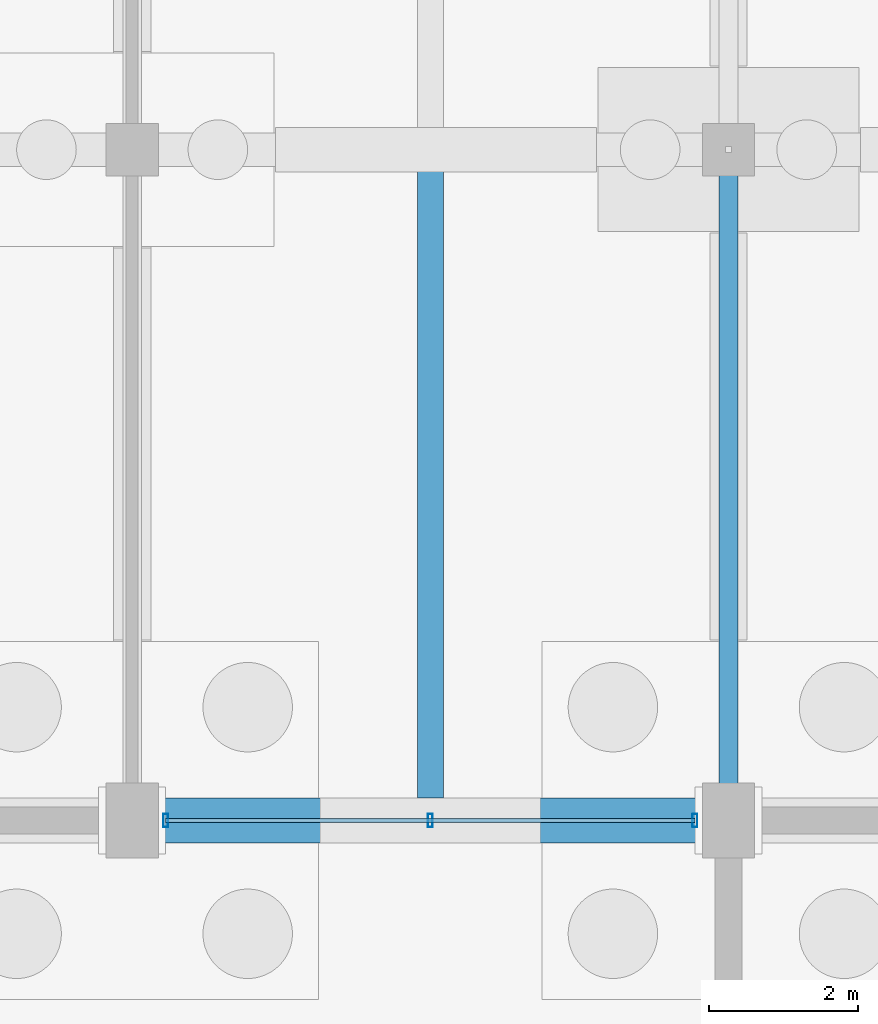
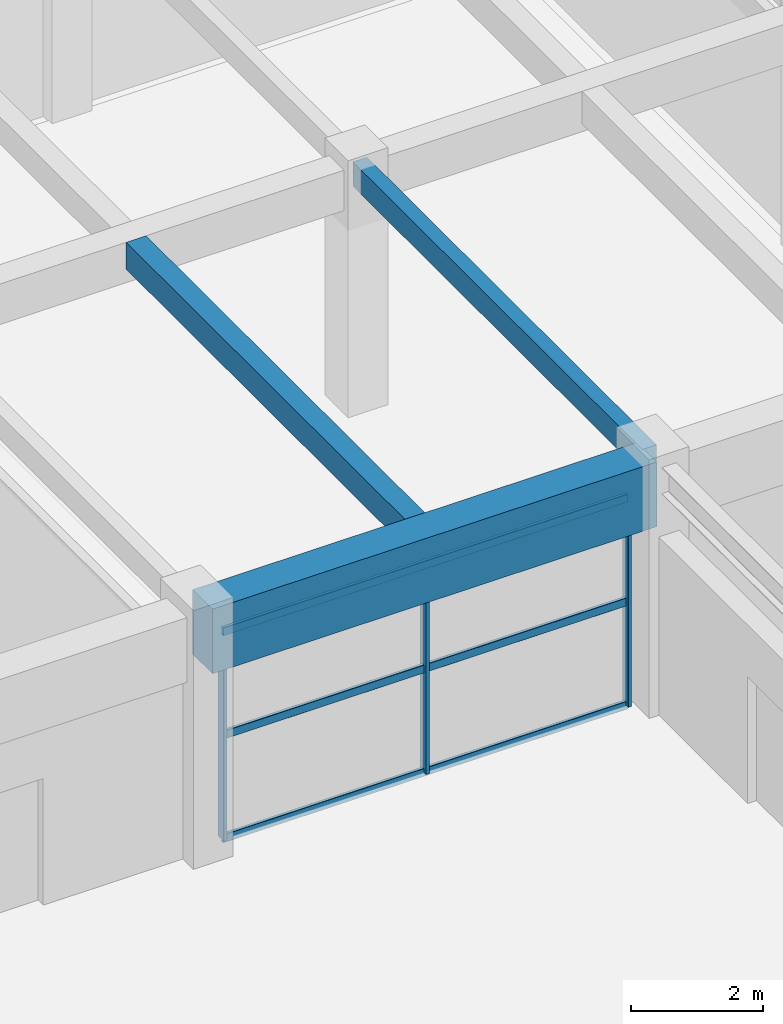
# One storey, part 46 of 147: 6 members, 3 beams, 1 element without a shape of its own.
"""IFC4 building model written with IfcOpenShell, lengths in metres."""

from ifc_helpers import new_model, si_unit, direction, frame, origin, origin_2d, place, context, subcontext, project, spatial, rectangle, hollow_rectangle, extrude, material, material_profile, profile_set, type_object, element, aggregate, save


model = new_model("IFC4")

# Units and contexts
model_context = context("Model", 3, precision=1e-05, world=origin(), true_north=direction((0.0, 1.0)))
body_context = subcontext(model_context, "Body", "Model", "MODEL_VIEW")
ifc_project = project(units=[si_unit("LENGTHUNIT", "METRE"), si_unit("AREAUNIT", "SQUARE_METRE"), si_unit("VOLUMEUNIT", "CUBIC_METRE"), si_unit("PLANEANGLEUNIT", "RADIAN"), si_unit("MASSUNIT", "GRAM", prefix="KILO")], contexts=[model_context])

# Site, building, storey
site_placement = place(None, origin())
site = spatial("IfcSite", under=ifc_project, at=site_placement, CompositionType="ELEMENT")
building_placement = place(site_placement, origin())
building = spatial("IfcBuilding", under=site, at=building_placement, Name="Varnabhumi Central Station", CompositionType="ELEMENT")
storey_placement = place(building_placement, origin())
storey = spatial("IfcBuildingStorey", under=building, at=storey_placement, Name="L00", CompositionType="ELEMENT", Elevation=0.0)

# Beams
ifc_material_1 = material(Name="Concrete M50", Category="concrete")
ifc_material_profile_1 = material_profile(ifc_material_1, rectangle(XDim=0.60009765625, YDim=1.199951171875, at=origin_2d()), Name="Concrete M50", Category="concrete")
ifc_profile_set_1 = profile_set([ifc_material_profile_1], Name="Concrete M50")
beam_type_1 = type_object("IfcBeamType", Name="BM-RC-1200x600", PredefinedType="BEAM", material=ifc_profile_set_1)
beam_1_placement = place(storey_placement, frame((16.10009765625, 80.0, 3.949951171875), z_axis=(1.0, 0.0, 0.0), x_axis=(0.0, 1.0, 0.0)))
element("IfcBeam", 1, at=beam_1_placement, inside=storey, type_object=beam_type_1, Name="Beam L00-K:3-4", PredefinedType="BEAM", context=body_context, shape_type="SweptSolid", body=[
    extrude(rectangle(XDim=0.60009765625, YDim=1.199951171875, at=origin_2d()), origin(), (0.0, 0.0, 1.0), 7.7998046875),
])
ifc_material_2 = material(Name="Concrete M35", Category="concrete")
ifc_material_profile_2 = material_profile(ifc_material_2, rectangle(XDim=0.25, YDim=0.449951171875, at=origin_2d()), Name="Concrete M35", Category="concrete")
ifc_profile_set_2 = profile_set([ifc_material_profile_2], Name="Concrete M35")
beam_type_2 = type_object("IfcBeamType", Name="BM-RC-250x450", PredefinedType="LINTEL", material=ifc_profile_set_2)
beam_2_placement = place(storey_placement, frame((24.0, 80.10009765625, 4.324951171875), z_axis=(0.0, 1.0, 0.0), x_axis=(-1.0, 0.0, 0.0)))
element("IfcBeam", 2, at=beam_2_placement, inside=storey, type_object=beam_type_2, Name="Beam L00-4:K-L", PredefinedType="LINTEL", context=body_context, shape_type="SweptSolid", body=[
    extrude(rectangle(XDim=0.25, YDim=0.449951171875, at=origin_2d()), origin(), (0.0, 0.0, 1.0), 8.7998046875),
])
ifc_material_3 = material(Name="Concrete M40", Category="concrete")
ifc_material_profile_3 = material_profile(ifc_material_3, rectangle(XDim=0.35009765625, YDim=0.5, at=origin_2d()), Name="Concrete M40", Category="concrete")
ifc_profile_set_3 = profile_set([ifc_material_profile_3], Name="Concrete M40")
beam_type_3 = type_object("IfcBeamType", Name="BM-RC-350x500", PredefinedType="JOIST", material=ifc_profile_set_3)
beam_3_placement = place(storey_placement, frame((20.0, 80.300048828125, 4.300048828125), z_axis=(0.0, 1.0, 0.0), x_axis=(-1.0, 0.0, 0.0)))
element("IfcBeam", 3, at=beam_3_placement, inside=storey, type_object=beam_type_3, Name="Secondary Joist L00-3/4:K-L", PredefinedType="JOIST", context=body_context, shape_type="SweptSolid", body=[
    extrude(rectangle(XDim=0.35009765625, YDim=0.5, at=origin_2d()), origin(), (0.0, 0.0, 1.0), 8.474853515625),
])

# Curtain wall, members
ifc_material_4 = material(Name="Anodised aluminium 6063-T6", Category="aluminium")
curtain_wall_type = type_object("IfcCurtainWallType", Name="CW-SPINE-SCREEN-L0", PredefinedType="NOTDEFINED", material=ifc_material_4)
curtain_wall_placement = place(storey_placement, origin())
curtain_wall = element("IfcCurtainWall", 4, at=curtain_wall_placement, inside=storey, type_object=curtain_wall_type, Name="Curtain Wall CW-NS002", PredefinedType="NOTDEFINED")
ifc_material_profile_4 = material_profile(ifc_material_4, hollow_rectangle(XDim=0.06494140625, YDim=0.179931640625, WallThickness=0.00390625, InnerFilletRadius=0.001953125, OuterFilletRadius=0.006103515625, at=origin_2d()), Name="Anodised aluminium 6063-T6", Category="aluminium")
ifc_profile_set_4 = profile_set([ifc_material_profile_4], Name="Anodised aluminium 6063-T6")
member_type_1 = type_object("IfcMemberType", Name="CW-MUL-180", PredefinedType="MULLION", material=ifc_profile_set_4)
member_1_placement = place(storey_placement, frame((16.449951171875, 80.0, 0.0), z_axis=(0.0, 0.0, 1.0), x_axis=(1.0, 0.0, 0.0)))
member_1 = element("IfcMember", 5, at=member_1_placement, type_object=member_type_1, Name="Curtain Wall Mullion CW-NS002-M1", PredefinedType="MULLION", context=body_context, shape_type="SweptSolid", body=[
    extrude(hollow_rectangle(XDim=0.06494140625, YDim=0.179931640625, WallThickness=0.00390625, InnerFilletRadius=0.001953125, OuterFilletRadius=0.006103515625, at=origin_2d()), origin(), (0.0, 0.0, 1.0), 3.840087890625),
])
member_2_placement = place(storey_placement, frame((20.0, 80.0, 0.0), z_axis=(0.0, 0.0, 1.0), x_axis=(1.0, 0.0, 0.0)))
member_2 = element("IfcMember", 6, at=member_2_placement, type_object=member_type_1, Name="Curtain Wall Mullion CW-NS002-M2", PredefinedType="MULLION", context=body_context, shape_type="SweptSolid", body=[
    extrude(hollow_rectangle(XDim=0.06494140625, YDim=0.179931640625, WallThickness=0.00390625, InnerFilletRadius=0.001953125, OuterFilletRadius=0.006103515625, at=origin_2d()), origin(), (0.0, 0.0, 1.0), 3.840087890625),
])
member_3_placement = place(storey_placement, frame((23.550048828125, 80.0, 0.0), z_axis=(0.0, 0.0, 1.0), x_axis=(1.0, 0.0, 0.0)))
member_3 = element("IfcMember", 7, at=member_3_placement, type_object=member_type_1, Name="Curtain Wall Mullion CW-NS002-M3", PredefinedType="MULLION", context=body_context, shape_type="SweptSolid", body=[
    extrude(hollow_rectangle(XDim=0.06494140625, YDim=0.179931640625, WallThickness=0.00390625, InnerFilletRadius=0.001953125, OuterFilletRadius=0.006103515625, at=origin_2d()), origin(), (0.0, 0.0, 1.0), 3.840087890625),
])
ifc_material_profile_5 = material_profile(ifc_material_4, hollow_rectangle(XDim=0.06005859375, YDim=0.14990234375, WallThickness=0.00390625, InnerFilletRadius=0.001953125, OuterFilletRadius=0.006103515625, at=origin_2d()), Name="Anodised aluminium 6063-T6", Category="aluminium")
ifc_profile_set_5 = profile_set([ifc_material_profile_5], Name="Anodised aluminium 6063-T6")
member_type_2 = type_object("IfcMemberType", Name="CW-TR-150", PredefinedType="USERDEFINED", material=ifc_profile_set_5)
member_4_placement = place(storey_placement, frame((16.449951171875, 80.0, 0.0), z_axis=(1.0, 0.0, 0.0), x_axis=(0.0, 1.0, 0.0)))
member_4 = element("IfcMember", 8, at=member_4_placement, type_object=member_type_2, Name="Curtain Wall Transom CW-NS002-T1", ObjectType="TRANSOM", PredefinedType="USERDEFINED", context=body_context, shape_type="SweptSolid", body=[
    extrude(hollow_rectangle(XDim=0.06005859375, YDim=0.14990234375, WallThickness=0.00390625, InnerFilletRadius=0.001953125, OuterFilletRadius=0.006103515625, at=origin_2d()), origin(), (0.0, 0.0, 1.0), 7.10009765625),
])
member_5_placement = place(storey_placement, frame((16.449951171875, 80.0, 1.919921875), z_axis=(1.0, 0.0, 0.0), x_axis=(0.0, 1.0, 0.0)))
member_5 = element("IfcMember", 9, at=member_5_placement, type_object=member_type_2, Name="Curtain Wall Transom CW-NS002-T2", ObjectType="TRANSOM", PredefinedType="USERDEFINED", context=body_context, shape_type="SweptSolid", body=[
    extrude(hollow_rectangle(XDim=0.06005859375, YDim=0.14990234375, WallThickness=0.00390625, InnerFilletRadius=0.001953125, OuterFilletRadius=0.006103515625, at=origin_2d()), origin(), (0.0, 0.0, 1.0), 7.10009765625),
])
member_6_placement = place(storey_placement, frame((16.449951171875, 80.0, 3.840087890625), z_axis=(1.0, 0.0, 0.0), x_axis=(0.0, 1.0, 0.0)))
member_6 = element("IfcMember", 10, at=member_6_placement, type_object=member_type_2, Name="Curtain Wall Transom CW-NS002-T3", ObjectType="TRANSOM", PredefinedType="USERDEFINED", context=body_context, shape_type="SweptSolid", body=[
    extrude(hollow_rectangle(XDim=0.06005859375, YDim=0.14990234375, WallThickness=0.00390625, InnerFilletRadius=0.001953125, OuterFilletRadius=0.006103515625, at=origin_2d()), origin(), (0.0, 0.0, 1.0), 7.10009765625),
])
aggregate(curtain_wall, [member_1, member_2, member_3, member_4, member_5, member_6])

save(model, "model.ifc")
